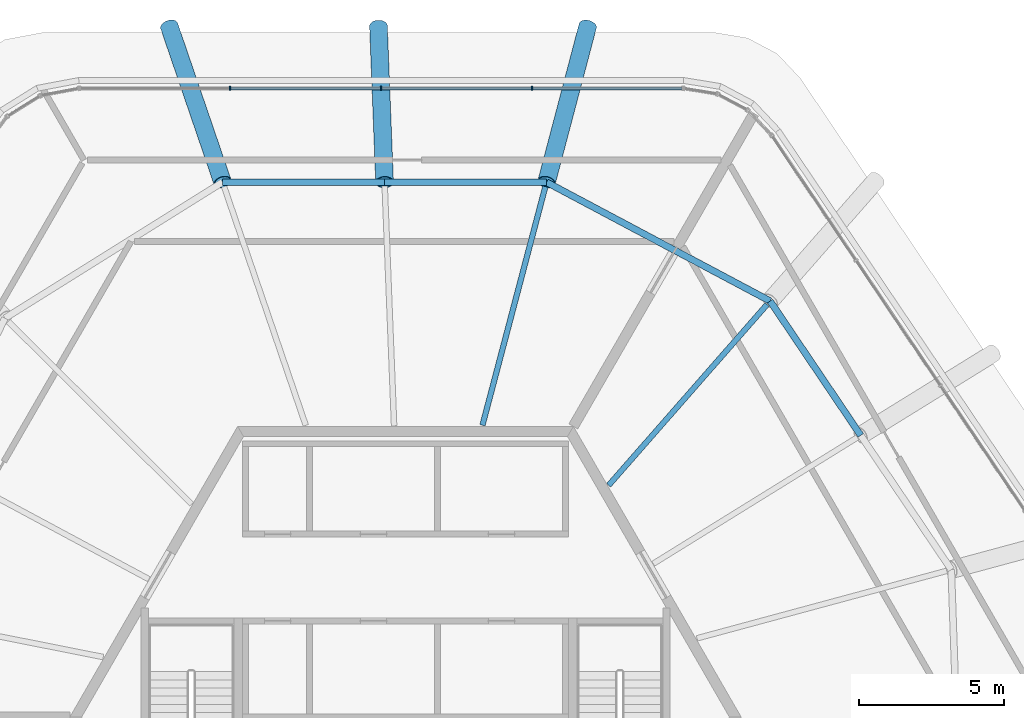
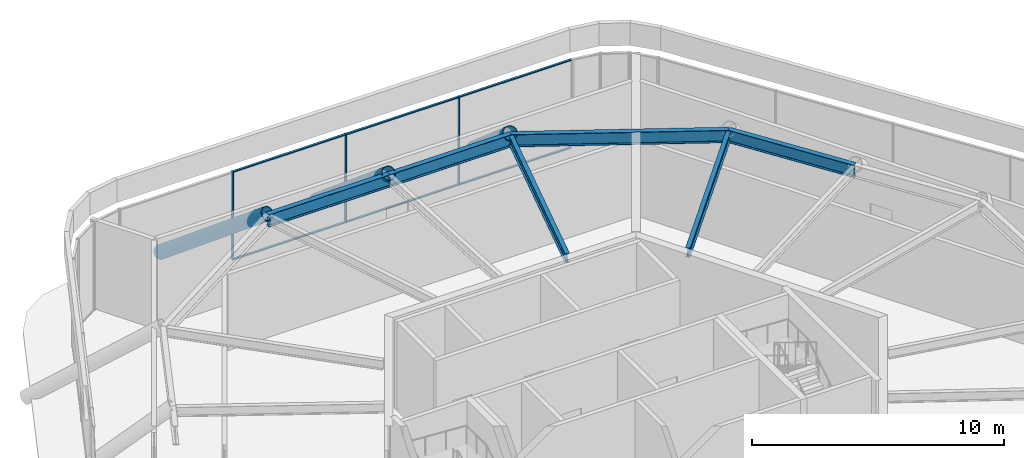
# One storey, part 7 of 13: 12 members, 6 beams, 1 element without a shape of its own.
"""IFC4 building model written with IfcOpenShell, lengths in metres."""

import ifcopenshell
import ifcopenshell.guid

model = None  # the IFC model being written
_history = None  # IfcOwnerHistory: only IFC2X3 demands one
_inside = {}  # id of a spatial element -> (the spatial element, [elements in it])
_under = {}  # id of a project, library or spatial element -> (it, [spatial elements below it])
_declared = {}  # id of a project -> (the project, [libraries it declares])
_typed = {}  # id of a type object -> (the type object, [elements of that type])
_made_of = {}  # id of a material, layer set ... -> (it, [elements and type objects made of it])


def new_model(schema):
    """Start an empty IFC model of exactly this schema.

    Asked for "IFC4X3", IfcOpenShell would pick the latest addendum, in which some entities
    have other attributes; the version numbers below select the first issue.
    IFC2X3 requires an IfcOwnerHistory on every rooted entity: one is made here for all.
    """
    global model, _history
    if schema == "IFC4X3":
        model = ifcopenshell.file(schema_version=(4, 3, 0, 0))
    else:
        model = ifcopenshell.file(schema=schema)
    _inside.clear()
    _under.clear()
    _declared.clear()
    _typed.clear()
    _made_of.clear()
    _history = None
    if model.schema == "IFC2X3":
        org = make("IfcOrganization", Name="unknown")
        user = make(
            "IfcPersonAndOrganization",
            ThePerson=make("IfcPerson", FamilyName="unknown"),
            TheOrganization=org,
        )
        app = make(
            "IfcApplication",
            ApplicationDeveloper=org,
            Version="unknown",
            ApplicationFullName="unknown",
            ApplicationIdentifier="unknown",
        )
        _history = make(
            "IfcOwnerHistory",
            OwningUser=user,
            OwningApplication=app,
            ChangeAction="ADDED",
            CreationDate=0,
        )
    return model


def make(cls, **values):
    """One entity of the class cls with the attributes given. An attribute that is None is left unset."""
    return model.create_entity(
        cls, **{name: value for name, value in values.items() if value is not None}
    )


def rooted(cls, **values):
    """An entity with a GlobalId (a new one), such as an element, a storey or a relation."""
    return make(cls, GlobalId=ifcopenshell.guid.new(), OwnerHistory=_history, **values)


def si_unit(unit_type, name, prefix=None):
    """IfcSIUnit, for example si_unit("LENGTHUNIT", "METRE", prefix="MILLI")."""
    return make("IfcSIUnit", UnitType=unit_type, Prefix=prefix, Name=name)


def assignment(units):
    """IfcUnitAssignment: the units of a project."""
    return None if units is None else make("IfcUnitAssignment", Units=units)


def point(xyz):
    """IfcCartesianPoint."""
    return None if xyz is None else make("IfcCartesianPoint", Coordinates=xyz)


def direction(xyz):
    """IfcDirection."""
    return None if xyz is None else make("IfcDirection", DirectionRatios=xyz)


def frame(location, z_axis=None, x_axis=None):
    """IfcAxis2Placement3D, a coordinate frame: its origin and axes. An axis left out is left unset."""
    return make(
        "IfcAxis2Placement3D",
        Location=point(location),
        Axis=direction(z_axis),
        RefDirection=direction(x_axis),
    )


def frame_2d(location, x_axis=None):
    """IfcAxis2Placement2D, a coordinate frame in the plane: its origin and x axis."""
    return make(
        "IfcAxis2Placement2D", Location=point(location), RefDirection=direction(x_axis)
    )


def origin():
    """The frame at (0, 0, 0) with its axes left unset."""
    return frame((0.0, 0.0, 0.0))


def origin_2d():
    """The frame at (0, 0) in the plane with its x axis left unset."""
    return frame_2d((0.0, 0.0))


def place(relative_to, where):
    """IfcLocalPlacement: puts the frame where relative to a parent placement (None: the world)."""
    return make(
        "IfcLocalPlacement", PlacementRelTo=relative_to, RelativePlacement=where
    )


def context(
    kind, dimensions, precision=None, world=None, true_north=None, identifier=None
):
    """IfcGeometricRepresentationContext, for example the 3D "Model" context."""
    return make(
        "IfcGeometricRepresentationContext",
        ContextIdentifier=identifier,
        ContextType=kind,
        CoordinateSpaceDimension=dimensions,
        Precision=precision,
        WorldCoordinateSystem=world,
        TrueNorth=true_north,
    )


def subcontext(parent, identifier, kind, view, scale=None):
    """IfcGeometricRepresentationSubContext, for example "Body" below "Model"."""
    return make(
        "IfcGeometricRepresentationSubContext",
        ContextIdentifier=identifier,
        ContextType=kind,
        ParentContext=parent,
        TargetScale=scale,
        TargetView=view,
    )


def project(units=None, contexts=None):
    """IfcProject with its units and contexts."""
    return rooted(
        "IfcProject",
        Name="project",
        RepresentationContexts=contexts,
        UnitsInContext=assignment(units),
    )


def spatial(cls, under=None, at=None, **own):
    """A site, building, storey or space (cls), placed at a placement, below another one or the project."""
    s = rooted(cls, ObjectPlacement=at, **own)
    if under is not None:
        _under.setdefault(under.id(), (under, []))[1].append(s)
    return s


def profile(cls, at=None, kind="AREA", **sizes):
    """A parametric profile (cls). Its sizes go by their IFC names, for example OverallWidth=200.0."""
    return make(cls, ProfileType=kind, Position=at, **sizes)


def rectangle(**sizes):
    """IfcRectangleProfileDef."""
    return profile("IfcRectangleProfileDef", **sizes)


def hollow_circle(**sizes):
    """IfcCircleHollowProfileDef."""
    return profile("IfcCircleHollowProfileDef", **sizes)


def i_section(**sizes):
    """IfcIShapeProfileDef."""
    return profile("IfcIShapeProfileDef", **sizes)


def extrude(swept, where, along, depth):
    """IfcExtrudedAreaSolid: the profile swept, set in the frame where, extruded along a direction by depth."""
    return make(
        "IfcExtrudedAreaSolid",
        SweptArea=swept,
        Position=where,
        ExtrudedDirection=direction(along),
        Depth=depth,
    )


def shape(context_of_items, identifier, shape_type, items):
    """IfcShapeRepresentation: the items that make up one representation, for example the "Body"."""
    return make(
        "IfcShapeRepresentation",
        ContextOfItems=context_of_items,
        RepresentationIdentifier=identifier,
        RepresentationType=shape_type,
        Items=items,
    )


def material(Name=None, Category=None):
    """IfcMaterial."""
    return make("IfcMaterial", Name=Name, Category=Category)


def material_profile(
    of_material, cross_section, Name=None, Category=None, Priority=None
):
    """IfcMaterialProfile: a cross section and its material."""
    return make(
        "IfcMaterialProfile",
        Name=Name,
        Material=of_material,
        Profile=cross_section,
        Priority=Priority,
        Category=Category,
    )


def profile_set(profiles, Name=None, composite=None):
    """IfcMaterialProfileSet."""
    return make(
        "IfcMaterialProfileSet",
        Name=Name,
        MaterialProfiles=profiles,
        CompositeProfile=composite,
    )


def made_of(thing, what):
    """Note that an element or type object is made of a material, layer set ...; save() writes the relation."""
    if what is not None:
        _made_of.setdefault(what.id(), (what, []))[1].append(thing)
    return thing


def type_object(cls, material=None, **own):
    """A type object (cls), such as IfcWallType, which elements share."""
    return made_of(rooted(cls, **own), material)


def element(
    cls,
    number,
    at=None,
    inside=None,
    cuts=None,
    type_object=None,
    material=None,
    context=None,
    identifier="Body",
    shape_type=None,
    held_by="IfcProductDefinitionShape",
    body=None,
    shapes=None,
    **own,
):
    """One element of the class cls, such as IfcWall. Its Tag is "e" and its number.

    at: its placement. inside: the storey or other place that contains it. cuts: it is an
    opening in that element (IfcRelVoidsElement). A single representation is given by context,
    identifier, shape_type and body (its items); several are given by shapes. held_by: the class
    of the entity that holds the representations. save() writes the other relations.
    """
    e = rooted(cls, Tag="e%d" % number, ObjectPlacement=at, **own)
    if body is not None:
        shapes = [shape(context, identifier, shape_type, body)]
    if shapes is not None:
        e.Representation = make(held_by, Representations=shapes)
    if inside is not None:
        _inside.setdefault(inside.id(), (inside, []))[1].append(e)
    if cuts is not None:
        rooted(
            "IfcRelVoidsElement", RelatingBuildingElement=cuts, RelatedOpeningElement=e
        )
    if type_object is not None:
        _typed.setdefault(type_object.id(), (type_object, []))[1].append(e)
    return made_of(e, material)


def aggregate(whole, parts):
    """IfcRelAggregates: a whole, such as a stair, and the parts it consists of."""
    return rooted("IfcRelAggregates", RelatingObject=whole, RelatedObjects=parts)


def save(model, path):
    """Write the relations noted so far, then the file.

    IfcRelAggregates (storeys below a building ...), IfcRelContainedInSpatialStructure (elements
    in a storey), IfcRelDefinesByType, IfcRelAssociatesMaterial and IfcRelDeclares: one each for
    every whole, place, type object, material and project.
    """
    for whole, parts in _under.values():
        aggregate(whole, parts)
    for where, things in _inside.values():
        rooted(
            "IfcRelContainedInSpatialStructure",
            RelatedElements=things,
            RelatingStructure=where,
        )
    for kind, things in _typed.values():
        rooted("IfcRelDefinesByType", RelatedObjects=things, RelatingType=kind)
    for what, things in _made_of.values():
        rooted("IfcRelAssociatesMaterial", RelatedObjects=things, RelatingMaterial=what)
    for by, libraries in _declared.values():
        rooted("IfcRelDeclares", RelatingContext=by, RelatedDefinitions=libraries)
    model.write(path)


model = new_model("IFC4")

# Units and contexts
model_context = context("Model", 3, precision=1e-05, world=origin(), true_north=direction((0.0, 1.0)))
body_context = subcontext(model_context, "Body", "Model", "MODEL_VIEW")
ifc_project = project(units=[si_unit("LENGTHUNIT", "METRE"), si_unit("AREAUNIT", "SQUARE_METRE"), si_unit("VOLUMEUNIT", "CUBIC_METRE"), si_unit("PLANEANGLEUNIT", "RADIAN"), si_unit("MASSUNIT", "GRAM", prefix="KILO")], contexts=[model_context])

# Site, building, storey
site_placement = place(None, origin())
site = spatial("IfcSite", under=ifc_project, at=site_placement, CompositionType="ELEMENT")
building_placement = place(site_placement, origin())
building = spatial("IfcBuilding", under=site, at=building_placement, Name="Tarnside Tower", CompositionType="ELEMENT")
storey_placement = place(building_placement, frame((0.0, 0.0, 388.199951171875)))
storey = spatial("IfcBuildingStorey", under=building, at=storey_placement, Name="L92", CompositionType="ELEMENT", Elevation=388.199951171875)

# Curtain wall, members
ifc_material_1 = material(Name="Crown glazing wall", Category="glass")
curtain_wall_type = type_object("IfcCurtainWallType", Name="Crown glazing wall", PredefinedType="NOTDEFINED", material=ifc_material_1)
curtain_wall_placement = place(storey_placement, origin())
curtain_wall = element("IfcCurtainWall", 1, at=curtain_wall_placement, inside=storey, type_object=curtain_wall_type, Name="Crown glazing L92 00", PredefinedType="NOTDEFINED")
ifc_material_2 = material(Name="Aluminium alloy 6063", Category="aluminium")
ifc_material_profile_1 = material_profile(ifc_material_2, rectangle(XDim=0.139892578125, YDim=0.050048828125, at=origin_2d()), Name="Crown glazing mullion 50 x 140")
ifc_profile_set_1 = profile_set([ifc_material_profile_1], Name="Aluminium alloy 6063")
member_type_1 = type_object("IfcMemberType", Name="Crown glazing mullion 50 x 140", PredefinedType="MULLION", material=ifc_profile_set_1)
member_1_placement = place(storey_placement, frame((-6.0322265625, 21.6298828125, 0.0), z_axis=(0.0, 0.0, 1.0), x_axis=(0.0, 1.0, 0.0)))
member_1 = element("IfcMember", 2, at=member_1_placement, type_object=member_type_1, Name="CW6 mullion 2", PredefinedType="MULLION", context=body_context, shape_type="SweptSolid", body=[
    extrude(rectangle(XDim=0.139892578125, YDim=0.050048828125, at=origin_2d()), origin(), (0.0, 0.0, 1.0), 4.300048828125),
])
member_2_placement = place(storey_placement, frame((-0.837158203125, 21.6298828125, 0.0), z_axis=(0.0, 0.0, 1.0), x_axis=(0.0, 1.0, 0.0)))
member_2 = element("IfcMember", 3, at=member_2_placement, type_object=member_type_1, Name="CW6 mullion 3", PredefinedType="MULLION", context=body_context, shape_type="SweptSolid", body=[
    extrude(rectangle(XDim=0.139892578125, YDim=0.050048828125, at=origin_2d()), origin(), (0.0, 0.0, 1.0), 4.300048828125),
])
member_3_placement = place(storey_placement, frame((4.35791015625, 21.6298828125, 0.0), z_axis=(0.0, 0.0, 1.0), x_axis=(0.0, 1.0, 0.0)))
member_3 = element("IfcMember", 4, at=member_3_placement, type_object=member_type_1, Name="CW6 mullion 4", PredefinedType="MULLION", context=body_context, shape_type="SweptSolid", body=[
    extrude(rectangle(XDim=0.139892578125, YDim=0.050048828125, at=origin_2d()), origin(), (0.0, 0.0, 1.0), 4.300048828125),
])
ifc_material_profile_2 = material_profile(ifc_material_2, rectangle(XDim=0.10009765625, YDim=0.050048828125, at=origin_2d()), Name="Crown glazing transom 50 x 100")
ifc_profile_set_2 = profile_set([ifc_material_profile_2], Name="Aluminium alloy 6063")
member_type_2 = type_object("IfcMemberType", Name="Crown glazing transom 50 x 100", PredefinedType="USERDEFINED", material=ifc_profile_set_2)
member_4_placement = place(storey_placement, frame((-6.007080078125, 21.6298828125, 0.025146484375), z_axis=(1.0, 0.0, 0.0), x_axis=(0.0, 1.0, 0.0)))
member_4 = element("IfcMember", 5, at=member_4_placement, type_object=member_type_2, Name="CW6 transom 2.1", ObjectType="TRANSOM", PredefinedType="USERDEFINED", context=body_context, shape_type="SweptSolid", body=[
    extrude(rectangle(XDim=0.10009765625, YDim=0.050048828125, at=origin_2d()), origin(), (0.0, 0.0, 1.0), 5.14501953125),
])
member_5_placement = place(storey_placement, frame((-6.007080078125, 21.6298828125, 4.275146484375), z_axis=(1.0, 0.0, 0.0), x_axis=(0.0, 1.0, 0.0)))
member_5 = element("IfcMember", 6, at=member_5_placement, type_object=member_type_2, Name="CW6 transom 2.2", ObjectType="TRANSOM", PredefinedType="USERDEFINED", context=body_context, shape_type="SweptSolid", body=[
    extrude(rectangle(XDim=0.10009765625, YDim=0.050048828125, at=origin_2d()), origin(), (0.0, 0.0, 1.0), 5.14501953125),
])
member_6_placement = place(storey_placement, frame((-0.812255859375, 21.6298828125, 0.025146484375), z_axis=(1.0, 0.0, 0.0), x_axis=(0.0, 1.0, 0.0)))
member_6 = element("IfcMember", 7, at=member_6_placement, type_object=member_type_2, Name="CW6 transom 3.1", ObjectType="TRANSOM", PredefinedType="USERDEFINED", context=body_context, shape_type="SweptSolid", body=[
    extrude(rectangle(XDim=0.10009765625, YDim=0.050048828125, at=origin_2d()), origin(), (0.0, 0.0, 1.0), 5.14501953125),
])
member_7_placement = place(storey_placement, frame((-0.812255859375, 21.6298828125, 4.275146484375), z_axis=(1.0, 0.0, 0.0), x_axis=(0.0, 1.0, 0.0)))
member_7 = element("IfcMember", 8, at=member_7_placement, type_object=member_type_2, Name="CW6 transom 3.2", ObjectType="TRANSOM", PredefinedType="USERDEFINED", context=body_context, shape_type="SweptSolid", body=[
    extrude(rectangle(XDim=0.10009765625, YDim=0.050048828125, at=origin_2d()), origin(), (0.0, 0.0, 1.0), 5.14501953125),
])
member_8_placement = place(storey_placement, frame((4.3828125, 21.6298828125, 0.025146484375), z_axis=(1.0, 0.0, 0.0), x_axis=(0.0, 1.0, 0.0)))
member_8 = element("IfcMember", 9, at=member_8_placement, type_object=member_type_2, Name="CW6 transom 4.1", ObjectType="TRANSOM", PredefinedType="USERDEFINED", context=body_context, shape_type="SweptSolid", body=[
    extrude(rectangle(XDim=0.10009765625, YDim=0.050048828125, at=origin_2d()), origin(), (0.0, 0.0, 1.0), 5.1201171875),
])
member_9_placement = place(storey_placement, frame((4.3828125, 21.6298828125, 4.275146484375), z_axis=(1.0, 0.0, 0.0), x_axis=(0.0, 1.0, 0.0)))
member_9 = element("IfcMember", 10, at=member_9_placement, type_object=member_type_2, Name="CW6 transom 4.2", ObjectType="TRANSOM", PredefinedType="USERDEFINED", context=body_context, shape_type="SweptSolid", body=[
    extrude(rectangle(XDim=0.10009765625, YDim=0.050048828125, at=origin_2d()), origin(), (0.0, 0.0, 1.0), 5.1201171875),
])
aggregate(curtain_wall, [member_1, member_2, member_3, member_4, member_5, member_6, member_7, member_8, member_9])

# Beams
ifc_material_3 = material(Name="Steel S355", Category="steel")
ifc_material_profile_3 = material_profile(ifc_material_3, i_section(OverallWidth=0.18994140625, OverallDepth=0.453369140625, WebThickness=0.008544921875, FlangeThickness=0.0126953125, FilletRadius=0.01025390625, at=origin_2d()), Name="UB 457x191x67")
ifc_profile_set_3 = profile_set([ifc_material_profile_3], Name="Steel S355")
beam_type_1 = type_object("IfcBeamType", Name="Floor beam UB 457x191x67", PredefinedType="BEAM", material=ifc_profile_set_3)
beam_1_placement = place(storey_placement, frame((4.81103515625, 18.247314453125, 4.0732421875), z_axis=(-0.254946258819, -0.966955223945, 0.0), x_axis=(0.966955223945, -0.254946258819, 0.0)))
element("IfcBeam", 11, at=beam_1_placement, inside=storey, type_object=beam_type_1, Name="Floor beam RB1", PredefinedType="BEAM", context=body_context, shape_type="SweptSolid", body=[
    extrude(i_section(OverallWidth=0.18994140625, OverallDepth=0.453369140625, WebThickness=0.008544921875, FlangeThickness=0.0126953125, FilletRadius=0.01025390625, at=origin_2d()), origin(), (0.0, 0.0, 1.0), 8.4892578125),
])
beam_2_placement = place(storey_placement, frame((12.437255859375, 14.192138671875, 4.0732421875), z_axis=(-0.659075051073, -0.752077174931, 0.0), x_axis=(0.752077174931, -0.659075051073, 0.0)))
element("IfcBeam", 12, at=beam_2_placement, inside=storey, type_object=beam_type_1, Name="Floor beam RB18", PredefinedType="BEAM", context=body_context, shape_type="SweptSolid", body=[
    extrude(i_section(OverallWidth=0.18994140625, OverallDepth=0.453369140625, WebThickness=0.008544921875, FlangeThickness=0.0126953125, FilletRadius=0.01025390625, at=origin_2d()), origin(), (0.0, 0.0, 1.0), 8.26904296875),
])
ifc_material_profile_4 = material_profile(ifc_material_3, i_section(OverallWidth=0.228271484375, OverallDepth=0.607666015625, WebThickness=0.010986328125, FlangeThickness=0.017333984375, FilletRadius=0.0126953125, at=origin_2d()), Name="UB 610x229x113")
ifc_profile_set_4 = profile_set([ifc_material_profile_4], Name="Steel S355")
beam_type_2 = type_object("IfcBeamType", Name="Floor beam UB 610x229x113", PredefinedType="BEAM", material=ifc_profile_set_4)
for number, where, z_axis, x_axis, name in (
    (13, (4.851318359375, 18.39990234375, 3.996337890625), (-1.0, 0.0, 0.0), (0.0, -1.0, 0.0), "Floor beam R1"),
    (14, (-0.720947265625, 18.39990234375, 3.996337890625), (-1.0, 0.0, 0.0), (0.0, -1.0, 0.0), "Floor beam R2"),
    (15, (15.657470703125, 9.69140625, 3.996337890625), (-0.559191393124, 0.829038591295, 0.0), (-0.829038591295, -0.559191393124, 0.0), "Floor beam R17"),
):
    element("IfcBeam", number, at=place(storey_placement, frame(where, z_axis=z_axis, x_axis=x_axis)), inside=storey, type_object=beam_type_2, Name=name, PredefinedType="BEAM", context=body_context, shape_type="SweptSolid", body=[
        extrude(i_section(OverallWidth=0.228271484375, OverallDepth=0.607666015625, WebThickness=0.010986328125, FlangeThickness=0.017333984375, FilletRadius=0.0126953125, at=origin_2d()), origin(), (0.0, 0.0, 1.0), 5.572265625),
    ])
beam_3_placement = place(storey_placement, frame((12.54150390625, 14.31103515625, 3.996337890625), z_axis=(-0.882951257454, 0.46946467062, 0.0), x_axis=(-0.46946467062, -0.882951257454, 0.0)))
element("IfcBeam", 16, at=beam_3_placement, inside=storey, type_object=beam_type_2, Name="Floor beam R18", PredefinedType="BEAM", context=body_context, shape_type="SweptSolid", body=[
    extrude(i_section(OverallWidth=0.228271484375, OverallDepth=0.607666015625, WebThickness=0.010986328125, FlangeThickness=0.017333984375, FilletRadius=0.0126953125, at=origin_2d()), origin(), (0.0, 0.0, 1.0), 8.709716796875),
])

# Members
ifc_material_profile_5 = material_profile(ifc_material_3, hollow_circle(Radius=0.304931640625, WallThickness=0.02490234375, at=origin_2d()), Name="CHS 610x25")
ifc_profile_set_5 = profile_set([ifc_material_profile_5], Name="Steel S355")
member_type_3 = type_object("IfcMemberType", Name="Truss diagonal CHS 610x25", PredefinedType="BRACE", material=ifc_profile_set_5)
member_10_placement = place(storey_placement, frame((6.268310546875, 23.77490234375, -0.199951171875), z_axis=(-0.198130364899, -0.751557221504, 0.629210697073), x_axis=(0.966962935364, -0.254917009305, 0.0)))
element("IfcMember", 17, at=member_10_placement, inside=storey, type_object=member_type_3, Name="Crown leg L92 1", PredefinedType="BRACE", context=body_context, shape_type="SweptSolid", body=[
    extrude(hollow_circle(Radius=0.304931640625, WallThickness=0.02490234375, at=origin_2d()), origin(), (0.0, 0.0, 1.0), 7.15185546875),
])
member_11_placement = place(storey_placement, frame((-0.931640625, 23.77490234375, -0.199951171875), z_axis=(0.030042386992, -0.766411578226, 0.641646902701), x_axis=(0.999232612659, 0.039168683899, 0.0)))
element("IfcMember", 18, at=member_11_placement, inside=storey, type_object=member_type_3, Name="Crown leg L92 2", PredefinedType="BRACE", context=body_context, shape_type="SweptSolid", body=[
    extrude(hollow_circle(Radius=0.304931640625, WallThickness=0.02490234375, at=origin_2d()), origin(), (0.0, 0.0, 1.0), 7.01318359375),
])
member_12_placement = place(storey_placement, frame((-8.131591796875, 23.77490234375, -0.199951171875), z_axis=(0.253671447018, -0.741677367538, 0.620939191427), x_axis=(0.946187536016, 0.323618829315, 0.0)))
element("IfcMember", 19, at=member_12_placement, inside=storey, type_object=member_type_3, Name="Crown leg L92 3", PredefinedType="BRACE", context=body_context, shape_type="SweptSolid", body=[
    extrude(hollow_circle(Radius=0.304931640625, WallThickness=0.02490234375, at=origin_2d()), origin(), (0.0, 0.0, 1.0), 7.2470703125),
])

save(model, "model.ifc")
